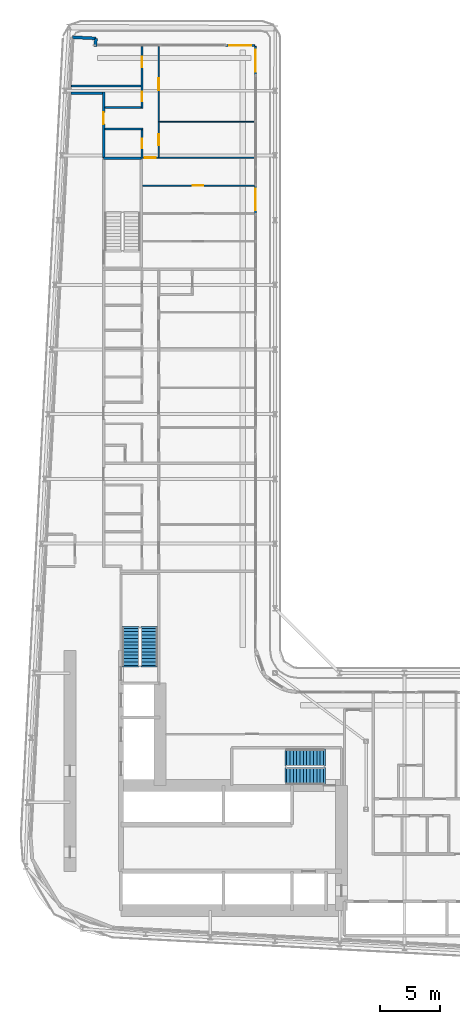
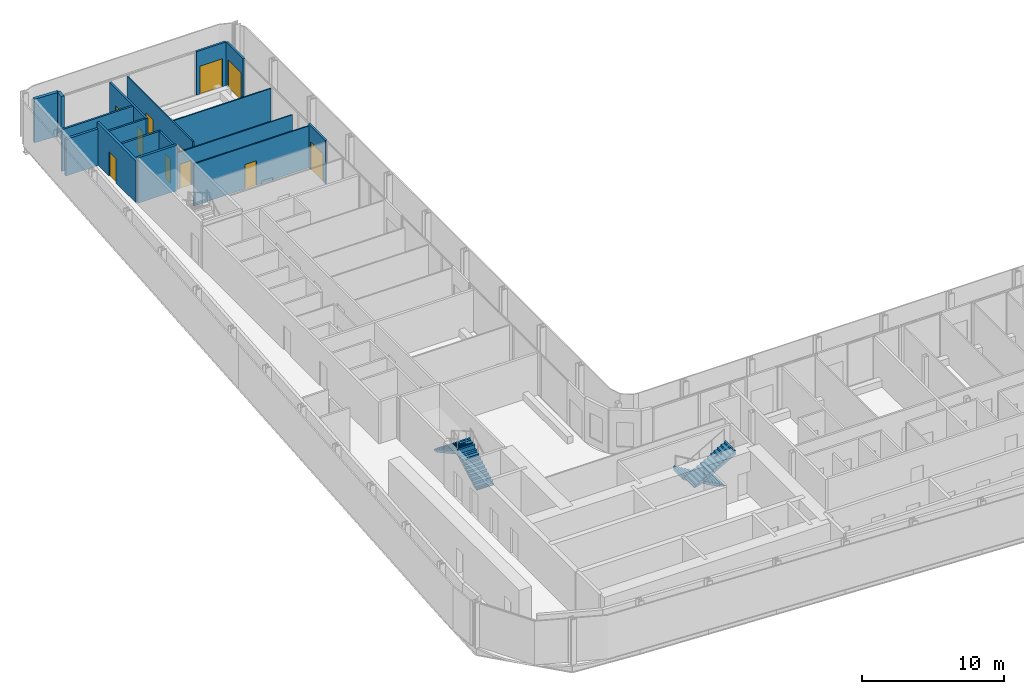
# One storey, part 20 of 28: 17 walls, 11 doors, 4 stair flights, 11 openings, 2 elements without a shape of their own.
"""IFC4 building model written with IfcOpenShell, lengths in metres."""

from ifc_helpers import new_model, si_unit, direction, frame, frame_2d, origin, place, context, subcontext, project, spatial, polyline, rectangle, outline, extrude, source, transform, mapped, material, layer, layer_set, type_object, element, fill, aggregate, save


model = new_model("IFC4")

# Units and contexts
model_context = context("Model", 3, precision=1e-05, world=origin(), true_north=direction((0.0, 1.0)))
body_context = subcontext(model_context, "Body", "Model", "MODEL_VIEW")
ifc_project = project(units=[si_unit("LENGTHUNIT", "METRE"), si_unit("AREAUNIT", "SQUARE_METRE"), si_unit("VOLUMEUNIT", "CUBIC_METRE"), si_unit("PLANEANGLEUNIT", "RADIAN"), si_unit("MASSUNIT", "GRAM", prefix="KILO")], contexts=[model_context])

# Site, building, storey
site_placement = place(None, origin())
site = spatial("IfcSite", under=ifc_project, at=site_placement, CompositionType="ELEMENT")
building_placement = place(site_placement, origin())
building = spatial("IfcBuilding", under=site, at=building_placement, Name="Kheshtan School and Residences Tower", CompositionType="ELEMENT")
storey_placement = place(building_placement, frame((0.0, 0.0, 73.39990234375)))
storey = spatial("IfcBuildingStorey", under=building, at=storey_placement, Name="L17", CompositionType="ELEMENT", Elevation=73.39990234375)

# Wall
ifc_material_1 = material(Name="Gypsum board on steel studs with fire boards", Category="steel")
ifc_layer_1 = layer(ifc_material_1, 0.199951171875)
ifc_layer_set_1 = layer_set([ifc_layer_1], Name="Corridor wall 200")
wall_type_1 = type_object("IfcWallType", Name="Corridor wall 200", PredefinedType="PARTITIONING", material=ifc_layer_set_1)
wall_1_placement = place(storey_placement, frame((30.584716796875, 94.0, 0.0), z_axis=(0.0, 0.0, 1.0), x_axis=(1.0, 0.0, 0.0)))
element("IfcWall", 1, at=wall_1_placement, inside=storey, type_object=wall_type_1, Name="Partition L17-002", PredefinedType="PARTITIONING", context=body_context, shape_type="SweptSolid", body=[
    extrude(rectangle(XDim=2.615234375, YDim=0.199951171875, at=frame_2d((1.3076171875, 0.0))), origin(), (0.0, 0.0, 1.0), 3.147216796875),
])

# Wall, opening, door
wall_2_placement = place(storey_placement, frame((33.300048828125, 88.60009765625, 0.0), z_axis=(0.0, 0.0, 1.0), x_axis=(0.0, 1.0, 0.0)))
wall_2 = element("IfcWall", 2, at=wall_2_placement, inside=storey, type_object=wall_type_1, Name="Partition L17-005", PredefinedType="PARTITIONING", context=body_context, shape_type="SweptSolid", body=[
    extrude(rectangle(XDim=5.5, YDim=0.199951171875, at=frame_2d((2.75, 0.0))), origin(), (0.0, 0.0, 1.0), 3.60009765625),
])
opening_1_placement = place(wall_2_placement, frame((2.800048828125, 0.0, 0.0)))
opening_1 = element("IfcOpeningElement", 3, at=opening_1_placement, cuts=wall_2, Name="Opening D17-058", PredefinedType="OPENING", context=body_context, shape_type="SweptSolid", body=[
    extrude(rectangle(XDim=1.0, YDim=2.10009765625, at=frame_2d((0.5, 1.050048828125))), frame((0.0, 0.10986328125, 0.0), z_axis=(0.0, -1.0, 0.0), x_axis=(1.0, 0.0, 0.0)), (0.0, 0.0, 1.0), 0.219970703125),
])
ifc_material_2 = material(Name="Steel-framed fire-resisting door leaf", Category="steel")
door_type_1 = type_object("IfcDoorType", Name="Fire door FD30S 1000 x 2100", OperationType="SINGLE_SWING_LEFT", PredefinedType="DOOR", material=ifc_material_2)
shared_shape_1 = source(origin(), body_context, "Body", "SweptSolid", [
    extrude(rectangle(XDim=1.0, YDim=2.10009765625, at=frame_2d((0.5, 1.050048828125))), frame((0.0, 0.02490234375, 0.0), z_axis=(0.0, -1.0, 0.0), x_axis=(1.0, 0.0, 0.0)), (0.0, 0.0, 1.0), 0.050048828125),
])
door_1_placement = place(opening_1_placement, origin())
door_1 = element("IfcDoor", 4, at=door_1_placement, inside=storey, type_object=door_type_1, Name="Door D17-058", OperationType="SINGLE_SWING_LEFT", OverallHeight=2.10009765625, OverallWidth=1.0, PredefinedType="DOOR", context=body_context, shape_type="MappedRepresentation", body=[
    mapped(shared_shape_1, transform((0.0, 0.0, 0.0), x_axis=(1.0, 0.0, 0.0), y_axis=(0.0, 1.0, 0.0), z_axis=(0.0, 0.0, 1.0), scale=1.0)),
])
fill(opening_1, door_1)

# Walls
ifc_material_3 = material(Name="Concrete C40/50 with ceramic cladding and mineral wool insulation", Category="concrete")
ifc_layer_2 = layer(ifc_material_3, 0.25)
ifc_layer_set_2 = layer_set([ifc_layer_2], Name="External wall 250 ceramic clad")
wall_type_2 = type_object("IfcWallType", Name="External wall 250 ceramic clad", PredefinedType="SOLIDWALL", material=ifc_layer_set_2)
wall_3_placement = place(storey_placement, frame((30.705078125, 98.6640625, 0.0), z_axis=(0.0, 0.0, 1.0), x_axis=(0.998577785791, -0.053314216913, 0.0)))
element("IfcWall", 5, at=wall_3_placement, inside=storey, type_object=wall_type_2, Name="External wall L17 5", PredefinedType="SOLIDWALL", context=body_context, shape_type="SweptSolid", body=[
    extrude(rectangle(XDim=1.95068359375, YDim=0.25, at=frame_2d((0.975341796875, 0.0))), origin(), (0.0, 0.0, 1.0), 3.75),
])
wall_4_placement = place(storey_placement, frame((32.653076171875, 98.56005859375, 0.0), z_axis=(0.0, 0.0, 1.0), x_axis=(-0.054093451632, -0.998535877418, 0.0)))
element("IfcWall", 6, at=wall_4_placement, inside=storey, type_object=wall_type_2, Name="External wall L17 6", PredefinedType="SOLIDWALL", context=body_context, shape_type="SweptSolid", body=[
    extrude(rectangle(XDim=0.66796875, YDim=0.25, at=frame_2d((0.333984375, 0.0))), origin(), (0.0, 0.0, 1.0), 3.75),
])

# Wall, opening, door
ifc_material_4 = material(Name="Aluminium frame wall with insulated infill", Category="aluminium")
ifc_layer_3 = layer(ifc_material_4, 0.14990234375)
ifc_layer_set_3 = layer_set([ifc_layer_3], Name="Glazing frame wall 150")
wall_type_3 = type_object("IfcWallType", Name="Glazing frame wall 150", PredefinedType="SOLIDWALL", material=ifc_layer_set_3)
wall_5_placement = place(storey_placement, frame((43.5, 97.97509765625, 0.0), z_axis=(0.0, 0.0, 1.0), x_axis=(1.0, 0.0, 0.0)))
wall_5 = element("IfcWall", 7, at=wall_5_placement, inside=storey, type_object=wall_type_3, Name="Balcony door wall L17 7.1", PredefinedType="SOLIDWALL", context=body_context, shape_type="SweptSolid", body=[
    extrude(rectangle(XDim=2.39990234375, YDim=0.14990234375, at=frame_2d((1.199951171875, 0.0))), origin(), (0.0, 0.0, 1.0), 3.75),
])
opening_2_placement = place(wall_5_placement, frame((0.300048828125, 0.0, 0.0)))
opening_2 = element("IfcOpeningElement", 8, at=opening_2_placement, cuts=wall_5, Name="Opening BD", PredefinedType="OPENING", context=body_context, shape_type="SweptSolid", body=[
    extrude(rectangle(XDim=1.800048828125, YDim=2.39990234375, at=frame_2d((0.89990234375, 1.199951171875))), frame((0.0, 0.0849609375, 0.0), z_axis=(0.0, -1.0, 0.0), x_axis=(1.0, 0.0, 0.0)), (0.0, 0.0, 1.0), 0.169921875),
])
ifc_material_5 = material(Name="Clear low-e glass in thermally broken aluminium frame", Category="aluminium")
door_type_2 = type_object("IfcDoorType", Name="Balcony sliding door", OperationType="SLIDING_TO_LEFT", PredefinedType="DOOR", material=ifc_material_5)
shared_shape_2 = source(origin(), body_context, "Body", "SweptSolid", [
    extrude(rectangle(XDim=1.800048828125, YDim=2.39990234375, at=frame_2d((0.89990234375, 1.199951171875))), frame((0.0, 0.02490234375, 0.0), z_axis=(0.0, -1.0, 0.0), x_axis=(1.0, 0.0, 0.0)), (0.0, 0.0, 1.0), 0.050048828125),
])
door_2_placement = place(opening_2_placement, origin())
door_2 = element("IfcDoor", 9, at=door_2_placement, inside=storey, type_object=door_type_2, Name="Balcony door L17 7.1", OperationType="SLIDING_TO_LEFT", OverallHeight=2.39990234375, OverallWidth=1.800048828125, PredefinedType="DOOR", context=body_context, shape_type="MappedRepresentation", body=[
    mapped(shared_shape_2, transform((0.0, 0.0, 0.0), x_axis=(1.0, 0.0, 0.0), y_axis=(0.0, 1.0, 0.0), z_axis=(0.0, 0.0, 1.0), scale=1.0)),
])
fill(opening_2, door_2)

wall_6_placement = place(storey_placement, frame((45.97509765625, 97.89990234375, 0.0), z_axis=(0.0, 0.0, 1.0), x_axis=(0.0, -1.0, 0.0)))
wall_6 = element("IfcWall", 10, at=wall_6_placement, inside=storey, type_object=wall_type_3, Name="Balcony door wall L17 8.1", PredefinedType="SOLIDWALL", context=body_context, shape_type="SweptSolid", body=[
    extrude(rectangle(XDim=2.39990234375, YDim=0.14990234375, at=frame_2d((1.199951171875, 0.0))), origin(), (0.0, 0.0, 1.0), 3.75),
])
opening_3_placement = place(wall_6_placement, frame((0.300048828125, 0.0, 0.0)))
opening_3 = element("IfcOpeningElement", 11, at=opening_3_placement, cuts=wall_6, Name="Opening BD", PredefinedType="OPENING", context=body_context, shape_type="SweptSolid", body=[
    extrude(rectangle(XDim=1.800048828125, YDim=2.39990234375, at=frame_2d((0.89990234375, 1.199951171875))), frame((0.0, 0.0849609375, 0.0), z_axis=(0.0, -1.0, 0.0), x_axis=(1.0, 0.0, 0.0)), (0.0, 0.0, 1.0), 0.169921875),
])
door_3_placement = place(opening_3_placement, origin())
door_3 = element("IfcDoor", 12, at=door_3_placement, inside=storey, type_object=door_type_2, Name="Balcony door L17 8.1", OperationType="SLIDING_TO_LEFT", OverallHeight=2.39990234375, OverallWidth=1.800048828125, PredefinedType="DOOR", context=body_context, shape_type="MappedRepresentation", body=[
    mapped(shared_shape_2, transform((0.0, 0.0, 0.0), x_axis=(1.0, 0.0, 0.0), y_axis=(0.0, 1.0, 0.0), z_axis=(0.0, 0.0, 1.0), scale=1.0)),
])
fill(opening_3, door_3)

wall_7_placement = place(storey_placement, frame((45.97509765625, 86.305908203125, 0.0), z_axis=(0.0, 0.0, 1.0), x_axis=(0.0, -1.0, 0.0)))
wall_7 = element("IfcWall", 13, at=wall_7_placement, inside=storey, type_object=wall_type_3, Name="Balcony door wall L17 8.2", PredefinedType="SOLIDWALL", context=body_context, shape_type="SweptSolid", body=[
    extrude(rectangle(XDim=2.39990234375, YDim=0.14990234375, at=frame_2d((1.199951171875, 0.0))), origin(), (0.0, 0.0, 1.0), 3.75),
])
opening_4_placement = place(wall_7_placement, frame((0.300048828125, 0.0, 0.0)))
opening_4 = element("IfcOpeningElement", 14, at=opening_4_placement, cuts=wall_7, Name="Opening BD", PredefinedType="OPENING", context=body_context, shape_type="SweptSolid", body=[
    extrude(rectangle(XDim=1.800048828125, YDim=2.39990234375, at=frame_2d((0.89990234375, 1.199951171875))), frame((0.0, 0.0849609375, 0.0), z_axis=(0.0, -1.0, 0.0), x_axis=(1.0, 0.0, 0.0)), (0.0, 0.0, 1.0), 0.169921875),
])
door_4_placement = place(opening_4_placement, origin())
door_4 = element("IfcDoor", 15, at=door_4_placement, inside=storey, type_object=door_type_2, Name="Balcony door L17 8.2", OperationType="SLIDING_TO_LEFT", OverallHeight=2.39990234375, OverallWidth=1.800048828125, PredefinedType="DOOR", context=body_context, shape_type="MappedRepresentation", body=[
    mapped(shared_shape_2, transform((0.0, 0.0, 0.0), x_axis=(1.0, 0.0, 0.0), y_axis=(0.0, 1.0, 0.0), z_axis=(0.0, 0.0, 1.0), scale=1.0)),
])
fill(opening_4, door_4)

ifc_material_6 = material(Name="Gypsum board on steel studs", Category="steel")
ifc_layer_4 = layer(ifc_material_6, 0.10009765625)
ifc_layer_set_4 = layer_set([ifc_layer_4], Name="Gypsum partition 100")
wall_type_4 = type_object("IfcWallType", Name="Gypsum partition 100", PredefinedType="PARTITIONING", material=ifc_layer_set_4)
wall_8_placement = place(storey_placement, frame((36.549072265625, 86.27490234375, 0.0), z_axis=(0.0, 0.0, 1.0), x_axis=(1.0, 0.0, 0.0)))
wall_8 = element("IfcWall", 16, at=wall_8_placement, inside=storey, type_object=wall_type_4, Name="Partition L17-030", PredefinedType="PARTITIONING", context=body_context, shape_type="SweptSolid", body=[
    extrude(rectangle(XDim=9.350830078125, YDim=0.10009765625, at=frame_2d((4.67529296875, 0.0))), origin(), (0.0, 0.0, 1.0), 3.60009765625),
])
opening_5_placement = place(wall_8_placement, frame((4.176025390625, 0.0, 0.0)))
opening_5 = element("IfcOpeningElement", 17, at=opening_5_placement, cuts=wall_8, Name="Opening D17-063", PredefinedType="OPENING", context=body_context, shape_type="SweptSolid", body=[
    extrude(rectangle(XDim=0.89990234375, YDim=2.10009765625, at=frame_2d((0.449951171875, 1.050048828125))), frame((0.0, 0.06005859375, 0.0), z_axis=(0.0, -1.0, 0.0), x_axis=(1.0, 0.0, 0.0)), (0.0, 0.0, 1.0), 0.1201171875),
])
ifc_material_7 = material(Name="Veneered timber door leaf", Category="wood")
door_type_3 = type_object("IfcDoorType", Name="Door 900 x 2100", OperationType="SINGLE_SWING_LEFT", PredefinedType="DOOR", material=ifc_material_7)
shared_shape_3 = source(origin(), body_context, "Body", "SweptSolid", [
    extrude(rectangle(XDim=0.89990234375, YDim=2.10009765625, at=frame_2d((0.449951171875, 1.050048828125))), frame((0.0, 0.02490234375, 0.0), z_axis=(0.0, -1.0, 0.0), x_axis=(1.0, 0.0, 0.0)), (0.0, 0.0, 1.0), 0.050048828125),
])
door_5_placement = place(opening_5_placement, origin())
door_5 = element("IfcDoor", 18, at=door_5_placement, inside=storey, type_object=door_type_3, Name="Door D17-063", OperationType="SINGLE_SWING_RIGHT", OverallHeight=2.10009765625, OverallWidth=0.89990234375, PredefinedType="DOOR", context=body_context, shape_type="MappedRepresentation", body=[
    mapped(shared_shape_3, transform((0.0, 0.0, 0.0), x_axis=(1.0, 0.0, 0.0), y_axis=(0.0, 1.0, 0.0), z_axis=(0.0, 0.0, 1.0), scale=1.0)),
])
fill(opening_5, door_5)

wall_9_placement = place(storey_placement, frame((36.574951171875, 88.60009765625, 0.0), z_axis=(0.0, 0.0, 1.0), x_axis=(1.0, 0.0, 0.0)))
wall_9 = element("IfcWall", 19, at=wall_9_placement, inside=storey, type_object=wall_type_4, Name="Partition L17-031", PredefinedType="PARTITIONING", context=body_context, shape_type="SweptSolid", body=[
    extrude(rectangle(XDim=9.324951171875, YDim=0.10009765625, at=frame_2d((4.66259765625, 0.0))), origin(), (0.0, 0.0, 1.0), 3.147216796875),
])
opening_6_placement = place(wall_9_placement, frame((0.175048828125, 0.0, 0.0)))
opening_6 = element("IfcOpeningElement", 20, at=opening_6_placement, cuts=wall_9, Name="Opening D17-062", PredefinedType="OPENING", context=body_context, shape_type="SweptSolid", body=[
    extrude(rectangle(XDim=0.89990234375, YDim=2.10009765625, at=frame_2d((0.449951171875, 1.050048828125))), frame((0.0, 0.06005859375, 0.0), z_axis=(0.0, -1.0, 0.0), x_axis=(1.0, 0.0, 0.0)), (0.0, 0.0, 1.0), 0.1201171875),
])
door_6_placement = place(opening_6_placement, origin())
door_6 = element("IfcDoor", 21, at=door_6_placement, inside=storey, type_object=door_type_3, Name="Door D17-062", OperationType="SINGLE_SWING_RIGHT", OverallHeight=2.10009765625, OverallWidth=0.89990234375, PredefinedType="DOOR", context=body_context, shape_type="MappedRepresentation", body=[
    mapped(shared_shape_3, transform((0.0, 0.0, 0.0), x_axis=(1.0, 0.0, 0.0), y_axis=(0.0, 1.0, 0.0), z_axis=(0.0, 0.0, 1.0), scale=1.0)),
])
fill(opening_6, door_6)

# Wall, openings, doors
wall_10_placement = place(storey_placement, frame((37.89990234375, 88.64990234375, 0.0), z_axis=(0.0, 0.0, 1.0), x_axis=(0.0, 1.0, 0.0)))
wall_10 = element("IfcWall", 22, at=wall_10_placement, inside=storey, type_object=wall_type_4, Name="Partition L17-034", PredefinedType="PARTITIONING", context=body_context, shape_type="SweptSolid", body=[
    extrude(rectangle(XDim=9.25, YDim=0.10009765625, at=frame_2d((4.625, 0.0))), origin(), (0.0, 0.0, 1.0), 3.60009765625),
])
opening_7_placement = place(wall_10_placement, frame((1.0, 0.0, 0.0)))
opening_7 = element("IfcOpeningElement", 23, at=opening_7_placement, cuts=wall_10, Name="Opening D17-057", PredefinedType="OPENING", context=body_context, shape_type="SweptSolid", body=[
    extrude(rectangle(XDim=0.89990234375, YDim=2.10009765625, at=frame_2d((0.449951171875, 1.050048828125))), frame((0.0, 0.06005859375, 0.0), z_axis=(0.0, -1.0, 0.0), x_axis=(1.0, 0.0, 0.0)), (0.0, 0.0, 1.0), 0.1201171875),
])
opening_8_placement = place(wall_10_placement, frame((5.60009765625, 0.0, 0.0)))
opening_8 = element("IfcOpeningElement", 24, at=opening_8_placement, cuts=wall_10, Name="Opening D17-060", PredefinedType="OPENING", context=body_context, shape_type="SweptSolid", body=[
    extrude(rectangle(XDim=1.0, YDim=2.10009765625, at=frame_2d((0.5, 1.050048828125))), frame((0.0, 0.06005859375, 0.0), z_axis=(0.0, -1.0, 0.0), x_axis=(1.0, 0.0, 0.0)), (0.0, 0.0, 1.0), 0.1201171875),
])
door_type_4 = type_object("IfcDoorType", Name="Door 1000 x 2100", OperationType="SINGLE_SWING_LEFT", PredefinedType="DOOR", material=ifc_material_7)
shared_shape_4 = source(origin(), body_context, "Body", "SweptSolid", [
    extrude(rectangle(XDim=1.0, YDim=2.10009765625, at=frame_2d((0.5, 1.050048828125))), frame((0.0, 0.02490234375, 0.0), z_axis=(0.0, -1.0, 0.0), x_axis=(1.0, 0.0, 0.0)), (0.0, 0.0, 1.0), 0.050048828125),
])
door_7_placement = place(opening_8_placement, origin())
door_7 = element("IfcDoor", 25, at=door_7_placement, inside=storey, type_object=door_type_4, Name="Door D17-060", OperationType="SINGLE_SWING_RIGHT", OverallHeight=2.10009765625, OverallWidth=1.0, PredefinedType="DOOR", context=body_context, shape_type="MappedRepresentation", body=[
    mapped(shared_shape_4, transform((0.0, 0.0, 0.0), x_axis=(1.0, 0.0, 0.0), y_axis=(0.0, 1.0, 0.0), z_axis=(0.0, 0.0, 1.0), scale=1.0)),
])
fill(opening_8, door_7)
door_8_placement = place(opening_7_placement, origin())
door_8 = element("IfcDoor", 26, at=door_8_placement, inside=storey, type_object=door_type_3, Name="Door D17-057", OperationType="SINGLE_SWING_LEFT", OverallHeight=2.10009765625, OverallWidth=0.89990234375, PredefinedType="DOOR", context=body_context, shape_type="MappedRepresentation", body=[
    mapped(shared_shape_3, transform((0.0, 0.0, 0.0), x_axis=(1.0, 0.0, 0.0), y_axis=(0.0, 1.0, 0.0), z_axis=(0.0, 0.0, 1.0), scale=1.0)),
])
fill(opening_7, door_8)

# Walls
wall_11_placement = place(storey_placement, frame((37.949951171875, 91.60009765625, 0.0), z_axis=(0.0, 0.0, 1.0), x_axis=(1.0, 0.0, 0.0)))
element("IfcWall", 27, at=wall_11_placement, inside=storey, type_object=wall_type_4, Name="Partition L17-035", PredefinedType="PARTITIONING", context=body_context, shape_type="SweptSolid", body=[
    extrude(rectangle(XDim=7.949951171875, YDim=0.10009765625, at=frame_2d((3.97509765625, 0.0))), origin(), (0.0, 0.0, 1.0), 3.60009765625),
])
ifc_material_8 = material(Name="Concrete C40/50", Category="concrete")
ifc_layer_5 = layer(ifc_material_8, 0.199951171875)
ifc_layer_set_5 = layer_set([ifc_layer_5], Name="Stair enclosure wall 200 Concrete C40/50")
wall_type_5 = type_object("IfcWallType", Name="Stair enclosure wall 200 Concrete C40/50", PredefinedType="SHEAR", material=ifc_layer_set_5)
wall_12_placement = place(storey_placement, frame((33.300048828125, 88.56005859375, 0.0), z_axis=(0.0, 0.0, 1.0), x_axis=(1.0, 0.0, 0.0)))
element("IfcWall", 28, at=wall_12_placement, inside=storey, type_object=wall_type_5, Name="Stair enclosure wall ST3", PredefinedType="SHEAR", context=body_context, shape_type="SweptSolid", body=[
    extrude(rectangle(XDim=3.14990234375, YDim=0.199951171875, at=frame_2d((1.574951171875, 0.0))), origin(), (0.0, 0.0, 1.0), 3.900146484375),
])
ifc_material_9 = material(Name="Moisture-resistant gypsum board on steel studs", Category="steel")
ifc_layer_6 = layer(ifc_material_9, 0.14990234375)
ifc_layer_set_6 = layer_set([ifc_layer_6], Name="Wet-room partition 150")
wall_type_6 = type_object("IfcWallType", Name="Wet-room partition 150", PredefinedType="PARTITIONING", material=ifc_layer_set_6)
wall_13_placement = place(storey_placement, frame((30.616943359375, 94.60009765625, 0.0), z_axis=(0.0, 0.0, 1.0), x_axis=(1.0, 0.0, 0.0)))
element("IfcWall", 29, at=wall_13_placement, inside=storey, type_object=wall_type_6, Name="Partition L17-001", PredefinedType="PARTITIONING", context=body_context, shape_type="SweptSolid", body=[
    extrude(rectangle(XDim=5.80810546875, YDim=0.14990234375, at=frame_2d((2.904052734375, 0.0))), origin(), (0.0, 0.0, 1.0), 3.60009765625),
])
wall_14_placement = place(storey_placement, frame((33.39990234375, 91.0, 0.0), z_axis=(0.0, 0.0, 1.0), x_axis=(1.0, 0.0, 0.0)))
element("IfcWall", 30, at=wall_14_placement, inside=storey, type_object=wall_type_6, Name="Partition L17-018", PredefinedType="PARTITIONING", context=body_context, shape_type="SweptSolid", body=[
    extrude(rectangle(XDim=3.175048828125, YDim=0.14990234375, at=frame_2d((1.58740234375, 0.0))), origin(), (0.0, 0.0, 1.0), 3.60009765625),
])
wall_15_placement = place(storey_placement, frame((33.39990234375, 92.800048828125, 0.0), z_axis=(0.0, 0.0, 1.0), x_axis=(1.0, 0.0, 0.0)))
element("IfcWall", 31, at=wall_15_placement, inside=storey, type_object=wall_type_6, Name="Partition L17-019", PredefinedType="PARTITIONING", context=body_context, shape_type="SweptSolid", body=[
    extrude(rectangle(XDim=3.025146484375, YDim=0.14990234375, at=frame_2d((1.5126953125, 0.0))), origin(), (0.0, 0.0, 1.0), 3.60009765625),
])

# Wall, opening, door
wall_16_placement = place(storey_placement, frame((36.5, 88.550048828125, 0.0), z_axis=(0.0, 0.0, 1.0), x_axis=(0.0, 1.0, 0.0)))
wall_16 = element("IfcWall", 32, at=wall_16_placement, inside=storey, type_object=wall_type_6, Name="Partition L17-026", PredefinedType="PARTITIONING", context=body_context, shape_type="SweptSolid", body=[
    extrude(rectangle(XDim=2.375, YDim=0.14990234375, at=frame_2d((1.1875, 0.0))), origin(), (0.0, 0.0, 1.0), 3.60009765625),
])
opening_9_placement = place(wall_16_placement, frame((0.85009765625, 0.0, 0.0)))
opening_9 = element("IfcOpeningElement", 33, at=opening_9_placement, cuts=wall_16, Name="Opening D17-056", PredefinedType="OPENING", context=body_context, shape_type="SweptSolid", body=[
    extrude(rectangle(XDim=0.800048828125, YDim=2.10009765625, at=frame_2d((0.39990234375, 1.050048828125))), frame((0.0, 0.0849609375, 0.0), z_axis=(0.0, -1.0, 0.0), x_axis=(1.0, 0.0, 0.0)), (0.0, 0.0, 1.0), 0.169921875),
])
door_type_5 = type_object("IfcDoorType", Name="Door 800 x 2100", OperationType="SINGLE_SWING_LEFT", PredefinedType="DOOR", material=ifc_material_7)
shared_shape_5 = source(origin(), body_context, "Body", "SweptSolid", [
    extrude(rectangle(XDim=0.800048828125, YDim=2.10009765625, at=frame_2d((0.39990234375, 1.050048828125))), frame((0.0, 0.02490234375, 0.0), z_axis=(0.0, -1.0, 0.0), x_axis=(1.0, 0.0, 0.0)), (0.0, 0.0, 1.0), 0.050048828125),
])
door_9_placement = place(opening_9_placement, origin())
door_9 = element("IfcDoor", 34, at=door_9_placement, inside=storey, type_object=door_type_5, Name="Door D17-056", OperationType="SINGLE_SWING_RIGHT", OverallHeight=2.10009765625, OverallWidth=0.800048828125, PredefinedType="DOOR", context=body_context, shape_type="MappedRepresentation", body=[
    mapped(shared_shape_5, transform((0.0, 0.0, 0.0), x_axis=(1.0, 0.0, 0.0), y_axis=(0.0, 1.0, 0.0), z_axis=(0.0, 0.0, 1.0), scale=1.0)),
])
fill(opening_9, door_9)

# Wall, openings, doors
wall_17_placement = place(storey_placement, frame((36.5, 92.72509765625, 0.0), z_axis=(0.0, 0.0, 1.0), x_axis=(0.0, 1.0, 0.0)))
wall_17 = element("IfcWall", 35, at=wall_17_placement, inside=storey, type_object=wall_type_6, Name="Partition L17-027", PredefinedType="PARTITIONING", context=body_context, shape_type="SweptSolid", body=[
    extrude(rectangle(XDim=5.1748046875, YDim=0.14990234375, at=frame_2d((2.58740234375, 0.0))), origin(), (0.0, 0.0, 1.0), 3.60009765625),
])
opening_10_placement = place(wall_17_placement, frame((3.425048828125, 0.0, 0.0)))
opening_10 = element("IfcOpeningElement", 36, at=opening_10_placement, cuts=wall_17, Name="Opening D17-059", PredefinedType="OPENING", context=body_context, shape_type="SweptSolid", body=[
    extrude(rectangle(XDim=0.89990234375, YDim=2.10009765625, at=frame_2d((0.449951171875, 1.050048828125))), frame((0.0, 0.0849609375, 0.0), z_axis=(0.0, -1.0, 0.0), x_axis=(1.0, 0.0, 0.0)), (0.0, 0.0, 1.0), 0.169921875),
])
opening_11_placement = place(wall_17_placement, frame((0.574951171875, 0.0, 0.0)))
opening_11 = element("IfcOpeningElement", 37, at=opening_11_placement, cuts=wall_17, Name="Opening D17-061", PredefinedType="OPENING", context=body_context, shape_type="SweptSolid", body=[
    extrude(rectangle(XDim=0.800048828125, YDim=2.10009765625, at=frame_2d((0.39990234375, 1.050048828125))), frame((0.0, 0.0849609375, 0.0), z_axis=(0.0, -1.0, 0.0), x_axis=(1.0, 0.0, 0.0)), (0.0, 0.0, 1.0), 0.169921875),
])
door_10_placement = place(opening_11_placement, origin())
door_10 = element("IfcDoor", 38, at=door_10_placement, inside=storey, type_object=door_type_5, Name="Door D17-061", OperationType="SINGLE_SWING_RIGHT", OverallHeight=2.10009765625, OverallWidth=0.800048828125, PredefinedType="DOOR", context=body_context, shape_type="MappedRepresentation", body=[
    mapped(shared_shape_5, transform((0.0, 0.0, 0.0), x_axis=(1.0, 0.0, 0.0), y_axis=(0.0, 1.0, 0.0), z_axis=(0.0, 0.0, 1.0), scale=1.0)),
])
fill(opening_11, door_10)
door_11_placement = place(opening_10_placement, origin())
door_11 = element("IfcDoor", 39, at=door_11_placement, inside=storey, type_object=door_type_3, Name="Door D17-059", OperationType="SINGLE_SWING_LEFT", OverallHeight=2.10009765625, OverallWidth=0.89990234375, PredefinedType="DOOR", context=body_context, shape_type="MappedRepresentation", body=[
    mapped(shared_shape_3, transform((0.0, 0.0, 0.0), x_axis=(1.0, 0.0, 0.0), y_axis=(0.0, 1.0, 0.0), z_axis=(0.0, 0.0, 1.0), scale=1.0)),
])
fill(opening_10, door_11)

# Stair, stair flights
stair_type = type_object("IfcStairType", Name="Exit stair, half-turn", PredefinedType="HALF_TURN_STAIR", material=ifc_material_8)
stair_1_placement = place(storey_placement, origin())
stair_1 = element("IfcStair", 40, at=stair_1_placement, inside=storey, type_object=stair_type, Name="L17 Protected Exit Stair ST1", PredefinedType="HALF_TURN_STAIR")
ifc_layer_7 = layer(ifc_material_8, 0.14990234375)
ifc_layer_set_7 = layer_set([ifc_layer_7], Name="Stair flight 1400 Concrete C40/50")
stair_flight_type = type_object("IfcStairFlightType", Name="Stair flight 1400 Concrete C40/50", PredefinedType="STRAIGHT", material=ifc_layer_set_7)
stair_flight_1_placement = place(storey_placement, frame((51.64990234375, 38.550048828125, 0.0), z_axis=(0.0, 0.0, 1.0), x_axis=(-1.0, 0.0, 0.0)))
stair_flight_1 = element("IfcStairFlight", 41, at=stair_flight_1_placement, type_object=stair_flight_type, Name="ST1 flight 1", NumberOfRisers=12, NumberOfTreads=11, PredefinedType="STRAIGHT", RiserHeight=0.1625, TreadLength=0.28, context=body_context, shape_type="SweptSolid", body=[
    extrude(outline(polyline([(-0.14990234375, -0.10009765625), (-0.14990234375, 0.0), (0.0, 0.0), (0.0, 0.16259765625), (0.280029296875, 0.16259765625), (0.280029296875, 0.324951171875), (0.56005859375, 0.324951171875), (0.56005859375, 0.487548828125), (0.840087890625, 0.487548828125), (0.840087890625, 0.64990234375), (1.1201171875, 0.64990234375), (1.1201171875, 0.8125), (1.39990234375, 0.8125), (1.39990234375, 0.97509765625), (1.679931640625, 0.97509765625), (1.679931640625, 1.137451171875), (1.9599609375, 1.137451171875), (1.9599609375, 1.300048828125), (2.239990234375, 1.300048828125), (2.239990234375, 1.46240234375), (2.52001953125, 1.46240234375), (2.52001953125, 1.625), (2.800048828125, 1.625), (2.800048828125, 1.78759765625), (3.080078125, 1.78759765625), (3.080078125, 1.949951171875), (3.080078125, 1.969970703125), (3.22998046875, 1.969970703125), (3.22998046875, 1.6142578125), (0.298583984375, 0.0), (-0.14990234375, -0.10009765625)])), frame((0.0, 0.699951171875, 0.0), z_axis=(0.0, -1.0, 0.0), x_axis=(1.0, 0.0, 0.0)), (0.0, 0.0, 1.0), 1.39990234375),
])
stair_flight_2_placement = place(storey_placement, frame((48.570068359375, 37.0, 1.9501953125), z_axis=(0.0, 0.0, 1.0), x_axis=(1.0, 0.0, 0.0)))
stair_flight_2 = element("IfcStairFlight", 42, at=stair_flight_2_placement, type_object=stair_flight_type, Name="ST1 flight 2", NumberOfRisers=12, NumberOfTreads=11, PredefinedType="STRAIGHT", RiserHeight=0.1625, TreadLength=0.28, context=body_context, shape_type="SweptSolid", body=[
    extrude(outline(polyline([(-0.14990234375, -0.10009765625), (-0.14990234375, 0.0), (0.0, 0.0), (0.0, 0.16259765625), (0.280029296875, 0.16259765625), (0.280029296875, 0.324951171875), (0.56005859375, 0.324951171875), (0.56005859375, 0.487548828125), (0.840087890625, 0.487548828125), (0.840087890625, 0.64990234375), (1.1201171875, 0.64990234375), (1.1201171875, 0.8125), (1.39990234375, 0.8125), (1.39990234375, 0.97509765625), (1.679931640625, 0.97509765625), (1.679931640625, 1.137451171875), (1.9599609375, 1.137451171875), (1.9599609375, 1.300048828125), (2.239990234375, 1.300048828125), (2.239990234375, 1.46240234375), (2.52001953125, 1.46240234375), (2.52001953125, 1.625), (2.800048828125, 1.625), (2.800048828125, 1.78759765625), (3.080078125, 1.78759765625), (3.080078125, 1.949951171875), (3.080078125, 1.969970703125), (3.22998046875, 1.969970703125), (3.22998046875, 1.6142578125), (0.298583984375, 0.0), (-0.14990234375, -0.10009765625)])), frame((0.0, 0.699951171875, 0.0), z_axis=(0.0, -1.0, 0.0), x_axis=(1.0, 0.0, 0.0)), (0.0, 0.0, 1.0), 1.39990234375),
])
aggregate(stair_1, [stair_flight_1, stair_flight_2])

stair_2_placement = place(storey_placement, origin())
stair_2 = element("IfcStair", 43, at=stair_2_placement, inside=storey, type_object=stair_type, Name="L17 Protected Exit Stair ST2", PredefinedType="HALF_TURN_STAIR")
stair_flight_3_placement = place(storey_placement, frame((37.10009765625, 46.25, 0.0), z_axis=(0.0, 0.0, 1.0), x_axis=(0.0, 1.0, 0.0)))
stair_flight_3 = element("IfcStairFlight", 44, at=stair_flight_3_placement, type_object=stair_flight_type, Name="ST2 flight 1", NumberOfRisers=12, NumberOfTreads=11, PredefinedType="STRAIGHT", RiserHeight=0.1625, TreadLength=0.28, context=body_context, shape_type="SweptSolid", body=[
    extrude(outline(polyline([(-0.14990234375, -0.10009765625), (-0.14990234375, 0.0), (0.0, 0.0), (0.0, 0.16259765625), (0.280029296875, 0.16259765625), (0.280029296875, 0.324951171875), (0.56005859375, 0.324951171875), (0.56005859375, 0.487548828125), (0.840087890625, 0.487548828125), (0.840087890625, 0.64990234375), (1.1201171875, 0.64990234375), (1.1201171875, 0.8125), (1.39990234375, 0.8125), (1.39990234375, 0.97509765625), (1.679931640625, 0.97509765625), (1.679931640625, 1.137451171875), (1.9599609375, 1.137451171875), (1.9599609375, 1.300048828125), (2.239990234375, 1.300048828125), (2.239990234375, 1.46240234375), (2.52001953125, 1.46240234375), (2.52001953125, 1.625), (2.800048828125, 1.625), (2.800048828125, 1.78759765625), (3.080078125, 1.78759765625), (3.080078125, 1.949951171875), (3.080078125, 1.969970703125), (3.22998046875, 1.969970703125), (3.22998046875, 1.6142578125), (0.298583984375, 0.0), (-0.14990234375, -0.10009765625)])), frame((0.0, 0.699951171875, 0.0), z_axis=(0.0, -1.0, 0.0), x_axis=(1.0, 0.0, 0.0)), (0.0, 0.0, 1.0), 1.39990234375),
])
stair_flight_4_placement = place(storey_placement, frame((35.550048828125, 49.330078125, 1.9501953125), z_axis=(0.0, 0.0, 1.0), x_axis=(0.0, -1.0, 0.0)))
stair_flight_4 = element("IfcStairFlight", 45, at=stair_flight_4_placement, type_object=stair_flight_type, Name="ST2 flight 2", NumberOfRisers=12, NumberOfTreads=11, PredefinedType="STRAIGHT", RiserHeight=0.1625, TreadLength=0.28, context=body_context, shape_type="SweptSolid", body=[
    extrude(outline(polyline([(-0.14990234375, -0.10009765625), (-0.14990234375, 0.0), (0.0, 0.0), (0.0, 0.16259765625), (0.280029296875, 0.16259765625), (0.280029296875, 0.324951171875), (0.56005859375, 0.324951171875), (0.56005859375, 0.487548828125), (0.840087890625, 0.487548828125), (0.840087890625, 0.64990234375), (1.1201171875, 0.64990234375), (1.1201171875, 0.8125), (1.39990234375, 0.8125), (1.39990234375, 0.97509765625), (1.679931640625, 0.97509765625), (1.679931640625, 1.137451171875), (1.9599609375, 1.137451171875), (1.9599609375, 1.300048828125), (2.239990234375, 1.300048828125), (2.239990234375, 1.46240234375), (2.52001953125, 1.46240234375), (2.52001953125, 1.625), (2.800048828125, 1.625), (2.800048828125, 1.78759765625), (3.080078125, 1.78759765625), (3.080078125, 1.949951171875), (3.080078125, 1.969970703125), (3.22998046875, 1.969970703125), (3.22998046875, 1.6142578125), (0.298583984375, 0.0), (-0.14990234375, -0.10009765625)])), frame((0.0, 0.699951171875, 0.0), z_axis=(0.0, -1.0, 0.0), x_axis=(1.0, 0.0, 0.0)), (0.0, 0.0, 1.0), 1.39990234375),
])
aggregate(stair_2, [stair_flight_3, stair_flight_4])

save(model, "model.ifc")
